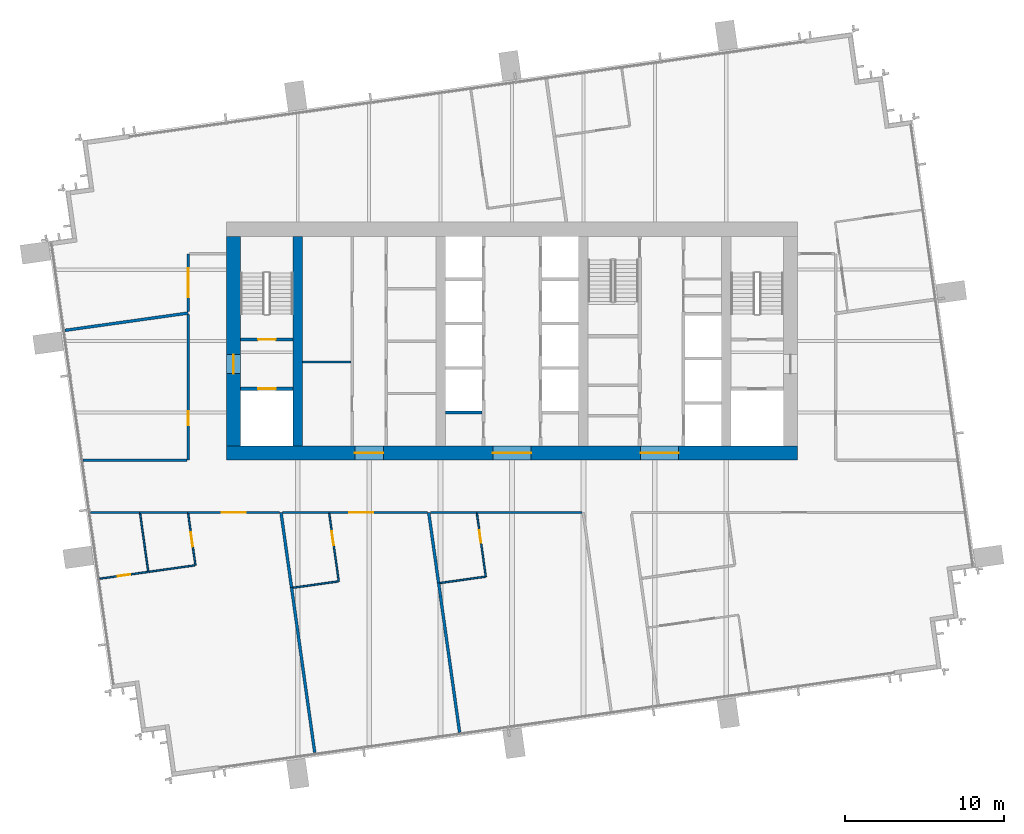
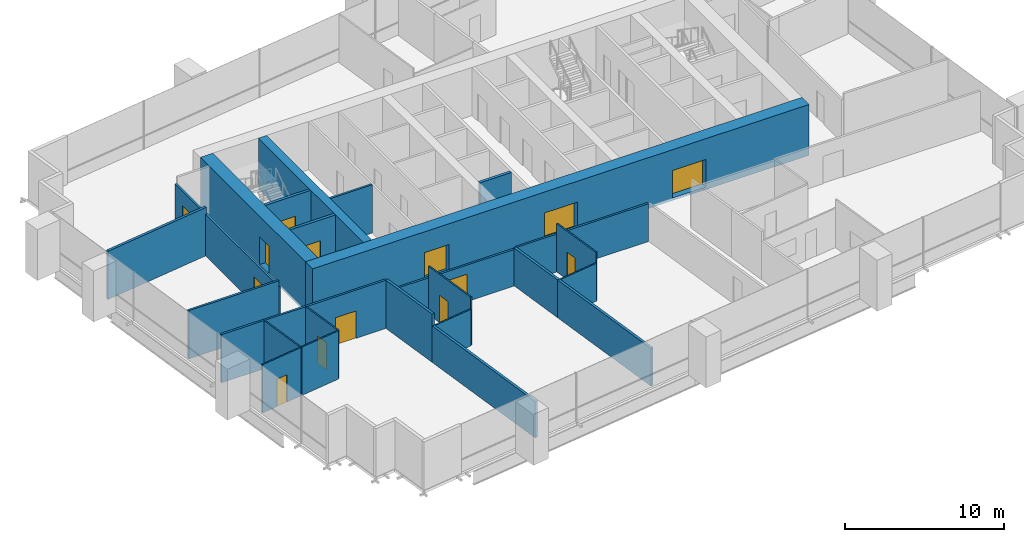
# One storey, part 9 of 14: 30 walls, 14 doors, 14 openings.
"""IFC4 building model written with IfcOpenShell, lengths in metres."""

from ifc_helpers import new_model, si_unit, direction, frame, frame_2d, origin, place, context, subcontext, project, spatial, rectangle, extrude, material, layer, layer_set, type_object, element, fill, save


model = new_model("IFC4")

# Units and contexts
model_context = context("Model", 3, precision=1e-05, world=origin(), true_north=direction((0.0, 1.0)))
body_context = subcontext(model_context, "Body", "Model", "MODEL_VIEW")
ifc_project = project(units=[si_unit("LENGTHUNIT", "METRE"), si_unit("AREAUNIT", "SQUARE_METRE"), si_unit("VOLUMEUNIT", "CUBIC_METRE"), si_unit("PLANEANGLEUNIT", "RADIAN"), si_unit("MASSUNIT", "GRAM", prefix="KILO")], contexts=[model_context])

# Site, building, storey
site_placement = place(None, origin())
site = spatial("IfcSite", under=ifc_project, at=site_placement, CompositionType="ELEMENT")
building_placement = place(site_placement, origin())
building = spatial("IfcBuilding", under=site, at=building_placement, Name="Rattan Terrace Tower", CompositionType="ELEMENT")
storey_placement = place(building_placement, frame((0.0, 0.0, 195.800048828125)))
storey = spatial("IfcBuildingStorey", under=building, at=storey_placement, Name="L45", CompositionType="ELEMENT", Elevation=195.800048828125)

# Wall
ifc_material_1 = material(Name="Gypsum board partition")
ifc_layer_1 = layer(ifc_material_1, 0.14990234375)
ifc_layer_set_1 = layer_set([ifc_layer_1], Name="Core partition 150")
wall_type_1 = type_object("IfcWallType", Name="Core partition 150", PredefinedType="PARTITIONING", material=ifc_layer_set_1)
wall_1_placement = place(storey_placement, frame((-13.199951171875, -1.320068359375, 0.0), z_axis=(0.0, 0.0, 1.0), x_axis=(1.0, 0.0, 0.0)))
element("IfcWall", 1, at=wall_1_placement, inside=storey, type_object=wall_type_1, Name="Core room wall", PredefinedType="PARTITIONING", context=body_context, shape_type="SweptSolid", body=[
    extrude(rectangle(XDim=3.050048828125, YDim=0.14990234375, at=frame_2d((1.52490234375, 0.0))), origin(), (0.0, 0.0, 1.0), 3.699951171875),
])

# Wall, opening, door
ifc_material_2 = material(Name="Gypsum board partition")
ifc_layer_2 = layer(ifc_material_2, 0.199951171875)
ifc_layer_set_2 = layer_set([ifc_layer_2], Name="Core partition 200")
wall_type_2 = type_object("IfcWallType", Name="Core partition 200", PredefinedType="PARTITIONING", material=ifc_layer_set_2)
wall_2_placement = place(storey_placement, frame((-17.10009765625, -3.0, 0.0), z_axis=(0.0, 0.0, 1.0), x_axis=(1.0, 0.0, 0.0)))
wall_2 = element("IfcWall", 2, at=wall_2_placement, inside=storey, type_object=wall_type_2, Name="Fire-fighting lobby wall", PredefinedType="PARTITIONING", context=body_context, shape_type="SweptSolid", body=[
    extrude(rectangle(XDim=3.300048828125, YDim=0.199951171875, at=frame_2d((1.64990234375, 0.0))), origin(), (0.0, 0.0, 1.0), 3.699951171875),
])
opening_1_placement = place(wall_2_placement, frame((1.10009765625, 0.0, 0.0)))
opening_1 = element("IfcOpeningElement", 3, at=opening_1_placement, cuts=wall_2, Name="Opening L45-LD-FF1", PredefinedType="OPENING", context=body_context, shape_type="SweptSolid", body=[
    extrude(rectangle(XDim=1.10009765625, YDim=2.10009765625, at=frame_2d((0.550048828125, 1.050048828125))), frame((0.0, 0.110595703125, 0.0), z_axis=(0.0, -1.0, 0.0), x_axis=(1.0, 0.0, 0.0)), (0.0, 0.0, 1.0), 0.220947265625),
])
ifc_material_3 = material(Name="Brushed stainless landing door panel")
door_type_1 = type_object("IfcDoorType", Name="Core lift landing door 1100", OperationType="DOUBLE_DOOR_SLIDING", PredefinedType="DOOR", material=ifc_material_3)
door_1_placement = place(opening_1_placement, origin())
door_1 = element("IfcDoor", 4, at=door_1_placement, inside=storey, type_object=door_type_1, Name="Door L45-LD-FF1", OperationType="DOUBLE_DOOR_SLIDING", OverallHeight=2.10009765625, OverallWidth=1.10009765625, PredefinedType="DOOR", context=body_context, shape_type="SweptSolid", body=[
    extrude(rectangle(XDim=1.10009765625, YDim=2.10009765625, at=frame_2d((0.550048828125, 1.050048828125))), frame((0.0, 0.02490234375, 0.0), z_axis=(0.0, -1.0, 0.0), x_axis=(1.0, 0.0, 0.0)), (0.0, 0.0, 1.0), 0.050048828125),
])
fill(opening_1, door_1)

wall_3_placement = place(storey_placement, frame((-17.10009765625, 0.10009765625, 0.0), z_axis=(0.0, 0.0, 1.0), x_axis=(1.0, 0.0, 0.0)))
wall_3 = element("IfcWall", 5, at=wall_3_placement, inside=storey, type_object=wall_type_2, Name="Stair enclosure wall", PredefinedType="PARTITIONING", context=body_context, shape_type="SweptSolid", body=[
    extrude(rectangle(XDim=3.300048828125, YDim=0.199951171875, at=frame_2d((1.64990234375, 0.0))), origin(), (0.0, 0.0, 1.0), 3.699951171875),
])
opening_2_placement = place(wall_3_placement, frame((1.10009765625, 0.0, 0.0)))
opening_2 = element("IfcOpeningElement", 6, at=opening_2_placement, cuts=wall_3, Name="Opening L45-D002", PredefinedType="OPENING", context=body_context, shape_type="SweptSolid", body=[
    extrude(rectangle(XDim=1.10009765625, YDim=2.10009765625, at=frame_2d((0.550048828125, 1.050048828125))), frame((0.0, 0.110595703125, 0.0), z_axis=(0.0, -1.0, 0.0), x_axis=(1.0, 0.0, 0.0)), (0.0, 0.0, 1.0), 0.220947265625),
])
ifc_material_4 = material(Name="Hollow-metal fire door leaf")
door_type_2 = type_object("IfcDoorType", Name="Core stair door 1100", OperationType="NOTDEFINED", PredefinedType="DOOR", material=ifc_material_4)
door_2_placement = place(opening_2_placement, origin())
door_2 = element("IfcDoor", 7, at=door_2_placement, inside=storey, type_object=door_type_2, Name="Door L45-D002", OperationType="SINGLE_SWING_RIGHT", OverallHeight=2.10009765625, OverallWidth=1.10009765625, PredefinedType="DOOR", context=body_context, shape_type="SweptSolid", body=[
    extrude(rectangle(XDim=1.10009765625, YDim=2.10009765625, at=frame_2d((0.550048828125, 1.050048828125))), frame((0.0, 0.02490234375, 0.0), z_axis=(0.0, -1.0, 0.0), x_axis=(1.0, 0.0, 0.0)), (0.0, 0.0, 1.0), 0.050048828125),
])
fill(opening_2, door_2)

# Wall, openings, doors
ifc_material_5 = material(Name="Concrete C60/75", Category="concrete")
ifc_layer_3 = layer(ifc_material_5, 0.89990234375)
ifc_layer_set_3 = layer_set([ifc_layer_3], Name="Core ring wall 900 C60/75")
wall_type_3 = type_object("IfcWallType", Name="Core ring wall 900 C60/75", PredefinedType="SHEAR", material=ifc_layer_set_3)
wall_4_placement = place(storey_placement, frame((-18.0, -7.050048828125, -0.199951171875), z_axis=(0.0, 0.0, 1.0), x_axis=(1.0, 0.0, 0.0)))
wall_4 = element("IfcWall", 8, at=wall_4_placement, inside=storey, type_object=wall_type_3, Name="Rear core wall south", PredefinedType="SHEAR", context=body_context, shape_type="SweptSolid", body=[
    extrude(rectangle(XDim=36.0, YDim=0.89990234375, at=frame_2d((18.0, 0.0))), origin(), (0.0, 0.0, 1.0), 3.89990234375),
])
opening_3_placement = place(wall_4_placement, frame((8.10009765625, 0.0, 0.199951171875)))
opening_3 = element("IfcOpeningElement", 9, at=opening_3_placement, cuts=wall_4, Name="Opening L45-D011", PredefinedType="OPENING", context=body_context, shape_type="SweptSolid", body=[
    extrude(rectangle(XDim=1.800048828125, YDim=2.10009765625, at=frame_2d((0.89990234375, 1.050048828125))), frame((0.0, 0.46044921875, 0.0), z_axis=(0.0, -1.0, 0.0), x_axis=(1.0, 0.0, 0.0)), (0.0, 0.0, 1.0), 0.9208984375),
])
opening_4_placement = place(wall_4_placement, frame((16.800048828125, 0.0, 0.199951171875)))
opening_4 = element("IfcOpeningElement", 10, at=opening_4_placement, cuts=wall_4, Name="Opening L45-D014", PredefinedType="OPENING", context=body_context, shape_type="SweptSolid", body=[
    extrude(rectangle(XDim=2.39990234375, YDim=2.10009765625, at=frame_2d((1.199951171875, 1.050048828125))), frame((0.0, 0.46044921875, 0.0), z_axis=(0.0, -1.0, 0.0), x_axis=(1.0, 0.0, 0.0)), (0.0, 0.0, 1.0), 0.9208984375),
])
opening_5_placement = place(wall_4_placement, frame((26.10009765625, 0.0, 0.199951171875)))
opening_5 = element("IfcOpeningElement", 11, at=opening_5_placement, cuts=wall_4, Name="Opening L45-D019", PredefinedType="OPENING", context=body_context, shape_type="SweptSolid", body=[
    extrude(rectangle(XDim=2.39990234375, YDim=2.10009765625, at=frame_2d((1.199951171875, 1.050048828125))), frame((0.0, 0.46044921875, 0.0), z_axis=(0.0, -1.0, 0.0), x_axis=(1.0, 0.0, 0.0)), (0.0, 0.0, 1.0), 0.9208984375),
])
ifc_material_6 = material(Name="Hollow-metal fire door leaf")
door_type_3 = type_object("IfcDoorType", Name="Core lift lobby door 2400", OperationType="NOTDEFINED", PredefinedType="DOOR", material=ifc_material_6)
door_3_placement = place(opening_4_placement, origin())
door_3 = element("IfcDoor", 12, at=door_3_placement, inside=storey, type_object=door_type_3, Name="Door L45-D014", OperationType="DOUBLE_DOOR_DOUBLE_SWING", OverallHeight=2.10009765625, OverallWidth=2.39990234375, PredefinedType="DOOR", context=body_context, shape_type="SweptSolid", body=[
    extrude(rectangle(XDim=2.39990234375, YDim=2.10009765625, at=frame_2d((1.199951171875, 1.050048828125))), frame((0.0, 0.02490234375, 0.0), z_axis=(0.0, -1.0, 0.0), x_axis=(1.0, 0.0, 0.0)), (0.0, 0.0, 1.0), 0.050048828125),
])
fill(opening_4, door_3)
door_4_placement = place(opening_5_placement, origin())
door_4 = element("IfcDoor", 13, at=door_4_placement, inside=storey, type_object=door_type_3, Name="Door L45-D019", OperationType="DOUBLE_DOOR_DOUBLE_SWING", OverallHeight=2.10009765625, OverallWidth=2.39990234375, PredefinedType="DOOR", context=body_context, shape_type="SweptSolid", body=[
    extrude(rectangle(XDim=2.39990234375, YDim=2.10009765625, at=frame_2d((1.199951171875, 1.050048828125))), frame((0.0, 0.02490234375, 0.0), z_axis=(0.0, -1.0, 0.0), x_axis=(1.0, 0.0, 0.0)), (0.0, 0.0, 1.0), 0.050048828125),
])
fill(opening_5, door_4)
ifc_material_7 = material(Name="Hollow-metal fire door leaf")
door_type_4 = type_object("IfcDoorType", Name="Core service room door 1800", OperationType="NOTDEFINED", PredefinedType="DOOR", material=ifc_material_7)
door_5_placement = place(opening_3_placement, origin())
door_5 = element("IfcDoor", 14, at=door_5_placement, inside=storey, type_object=door_type_4, Name="Door L45-D011", OperationType="SINGLE_SWING_LEFT", OverallHeight=2.10009765625, OverallWidth=1.800048828125, PredefinedType="DOOR", context=body_context, shape_type="SweptSolid", body=[
    extrude(rectangle(XDim=1.800048828125, YDim=2.10009765625, at=frame_2d((0.89990234375, 1.050048828125))), frame((0.0, 0.02490234375, 0.0), z_axis=(0.0, -1.0, 0.0), x_axis=(1.0, 0.0, 0.0)), (0.0, 0.0, 1.0), 0.050048828125),
])
fill(opening_3, door_5)

# Wall, opening, door
wall_5_placement = place(storey_placement, frame((-17.550048828125, -6.60009765625, -0.199951171875), z_axis=(0.0, 0.0, 1.0), x_axis=(0.0, 1.0, 0.0)))
wall_5 = element("IfcWall", 15, at=wall_5_placement, inside=storey, type_object=wall_type_3, Name="Rear core wall west", PredefinedType="SHEAR", context=body_context, shape_type="SweptSolid", body=[
    extrude(rectangle(XDim=13.2001953125, YDim=0.89990234375, at=frame_2d((6.60009765625, 0.0))), origin(), (0.0, 0.0, 1.0), 3.89990234375),
])
opening_6_placement = place(wall_5_placement, frame((4.550048828125, 0.0, 0.199951171875)))
opening_6 = element("IfcOpeningElement", 16, at=opening_6_placement, cuts=wall_5, Name="Opening L45-D001", PredefinedType="OPENING", context=body_context, shape_type="SweptSolid", body=[
    extrude(rectangle(XDim=1.199951171875, YDim=2.10009765625, at=frame_2d((0.60009765625, 1.050048828125))), frame((0.0, 0.46044921875, 0.0), z_axis=(0.0, -1.0, 0.0), x_axis=(1.0, 0.0, 0.0)), (0.0, 0.0, 1.0), 0.9208984375),
])
ifc_material_8 = material(Name="Hollow-metal fire door leaf")
door_type_5 = type_object("IfcDoorType", Name="Core fire-fighting lobby door 1200", OperationType="NOTDEFINED", PredefinedType="DOOR", material=ifc_material_8)
door_6_placement = place(opening_6_placement, origin())
door_6 = element("IfcDoor", 17, at=door_6_placement, inside=storey, type_object=door_type_5, Name="Door L45-D001", OperationType="SINGLE_SWING_LEFT", OverallHeight=2.10009765625, OverallWidth=1.199951171875, PredefinedType="DOOR", context=body_context, shape_type="SweptSolid", body=[
    extrude(rectangle(XDim=1.199951171875, YDim=2.10009765625, at=frame_2d((0.60009765625, 1.050048828125))), frame((0.0, 0.02490234375, 0.0), z_axis=(0.0, -1.0, 0.0), x_axis=(1.0, 0.0, 0.0)), (0.0, 0.0, 1.0), 0.050048828125),
])
fill(opening_6, door_6)

# Walls
ifc_material_9 = material(Name="Concrete C60/75", Category="concrete")
ifc_layer_4 = layer(ifc_material_9, 0.60009765625)
ifc_layer_set_4 = layer_set([ifc_layer_4], Name="Core spine wall 600 C60/75")
wall_type_4 = type_object("IfcWallType", Name="Core spine wall 600 C60/75", PredefinedType="SHEAR", material=ifc_layer_set_4)
wall_6_placement = place(storey_placement, frame((-13.5, -6.60009765625, -0.199951171875), z_axis=(0.0, 0.0, 1.0), x_axis=(0.0, 1.0, 0.0)))
element("IfcWall", 18, at=wall_6_placement, inside=storey, type_object=wall_type_4, Name="Core spine wall 1", PredefinedType="SHEAR", context=body_context, shape_type="SweptSolid", body=[
    extrude(rectangle(XDim=13.2001953125, YDim=0.60009765625, at=frame_2d((6.60009765625, 0.0))), origin(), (0.0, 0.0, 1.0), 3.89990234375),
])
ifc_material_10 = material(Name="Double steel stud acoustic partition, gypsum board, mineral wool, fire rated", Category="steel")
ifc_layer_5 = layer(ifc_material_10, 0.179931640625)
ifc_layer_set_5 = layer_set([ifc_layer_5], Name="Floors Acoustic Party Wall 180")
wall_type_5 = type_object("IfcWallType", Name="Floors Acoustic Party Wall 180", PredefinedType="PARTITIONING", material=ifc_layer_set_5)
wall_7_placement = place(storey_placement, frame((-13.887939453125, -15.532958984375, 0.0), z_axis=(0.0, 0.0, 1.0), x_axis=(0.139107013986, -0.990277354411, 0.0)))
element("IfcWall", 19, at=wall_7_placement, inside=storey, type_object=wall_type_5, Name="pt-L45-025", PredefinedType="PARTITIONING", context=body_context, shape_type="SweptSolid", body=[
    extrude(rectangle(XDim=10.502197265625, YDim=0.179931640625, at=frame_2d((5.2509765625, 0.0))), origin(), (0.0, 0.0, 1.0), 2.800048828125),
])
wall_8_placement = place(storey_placement, frame((-14.552978515625, -10.800048828125, 0.0), z_axis=(0.0, 0.0, 1.0), x_axis=(0.139146821365, -0.990271761742, 0.0)))
element("IfcWall", 20, at=wall_8_placement, inside=storey, type_object=wall_type_5, Name="pt-L45-026", PredefinedType="PARTITIONING", context=body_context, shape_type="SweptSolid", body=[
    extrude(rectangle(XDim=4.779296875, YDim=0.179931640625, at=frame_2d((2.3896484375, 0.0))), origin(), (0.0, 0.0, 1.0), 3.699951171875),
])
wall_9_placement = place(storey_placement, frame((-4.6240234375, -15.237060546875, 0.0), z_axis=(0.0, 0.0, 1.0), x_axis=(0.13917022879, -0.990268472395, 0.0)))
element("IfcWall", 21, at=wall_9_placement, inside=storey, type_object=wall_type_5, Name="pt-L45-030", PredefinedType="PARTITIONING", context=body_context, shape_type="SweptSolid", body=[
    extrude(rectangle(XDim=9.50634765625, YDim=0.179931640625, at=frame_2d((4.753173828125, 0.0))), origin(), (0.0, 0.0, 1.0), 2.89990234375),
])
wall_10_placement = place(storey_placement, frame((-5.248046875, -10.800048828125, 0.0), z_axis=(0.0, 0.0, 1.0), x_axis=(0.139299923233, -0.990250236752, 0.0)))
element("IfcWall", 22, at=wall_10_placement, inside=storey, type_object=wall_type_5, Name="pt-L45-031", PredefinedType="PARTITIONING", context=body_context, shape_type="SweptSolid", body=[
    extrude(rectangle(XDim=4.479736328125, YDim=0.179931640625, at=frame_2d((2.23974609375, 0.0))), origin(), (0.0, 0.0, 1.0), 2.89990234375),
])
wall_11_placement = place(storey_placement, frame((-28.166015625, 0.676025390625, 0.0), z_axis=(0.0, 0.0, 1.0), x_axis=(0.990274949164, 0.139124135423, 0.0)))
element("IfcWall", 23, at=wall_11_placement, inside=storey, type_object=wall_type_5, Name="pt-L45-038", PredefinedType="PARTITIONING", context=body_context, shape_type="SweptSolid", body=[
    extrude(rectangle(XDim=7.84228515625, YDim=0.179931640625, at=frame_2d((3.921142578125, 0.0))), origin(), (0.0, 0.0, 1.0), 3.699951171875),
])

# Wall, opening, door
ifc_material_11 = material(Name="Gypsum board partition on steel studs", Category="steel")
ifc_layer_6 = layer(ifc_material_11, 0.10009765625)
ifc_layer_set_6 = layer_set([ifc_layer_6], Name="Floors Partition 100")
wall_type_6 = type_object("IfcWallType", Name="Floors Partition 100", PredefinedType="PARTITIONING", material=ifc_layer_set_6)
wall_12_placement = place(storey_placement, frame((-25.966064453125, -14.969970703125, 0.0), z_axis=(0.0, 0.0, 1.0), x_axis=(0.990303801212, 0.138918613964, 0.0)))
wall_12 = element("IfcWall", 24, at=wall_12_placement, inside=storey, type_object=wall_type_6, Name="pt-L45-022", PredefinedType="PARTITIONING", context=body_context, shape_type="SweptSolid", body=[
    extrude(rectangle(XDim=3.059814453125, YDim=0.10009765625, at=frame_2d((1.52978515625, 0.0))), origin(), (0.0, 0.0, 1.0), 3.699951171875),
])
opening_7_placement = place(wall_12_placement, frame((1.1298828125, 0.0, 0.0)))
opening_7 = element("IfcOpeningElement", 25, at=opening_7_placement, cuts=wall_12, Name="Opening L45-D101", PredefinedType="OPENING", context=body_context, shape_type="SweptSolid", body=[
    extrude(rectangle(XDim=0.800048828125, YDim=2.10009765625, at=frame_2d((0.39990234375, 1.050048828125))), frame((0.0, 0.060546875, 0.0), z_axis=(0.0, -1.0, 0.0), x_axis=(1.0, 0.0, 0.0)), (0.0, 0.0, 1.0), 0.12109375),
])
ifc_material_12 = material(Name="Solid core timber door, painted", Category="wood")
door_type_6 = type_object("IfcDoorType", Name="Floors Store Door 800x2100", OperationType="NOTDEFINED", PredefinedType="DOOR", material=ifc_material_12)
door_7_placement = place(opening_7_placement, origin())
door_7 = element("IfcDoor", 26, at=door_7_placement, inside=storey, type_object=door_type_6, Name="d-L45-101", OperationType="SINGLE_SWING_RIGHT", OverallHeight=2.10009765625, OverallWidth=0.800048828125, PredefinedType="DOOR", context=body_context, shape_type="SweptSolid", body=[
    extrude(rectangle(XDim=0.800048828125, YDim=2.10009765625, at=frame_2d((0.39990234375, 1.050048828125))), frame((0.0, 0.02490234375, 0.0), z_axis=(0.0, -1.0, 0.0), x_axis=(1.0, 0.0, 0.0)), (0.0, 0.0, 1.0), 0.050048828125),
])
fill(opening_7, door_7)

# Wall
wall_13_placement = place(storey_placement, frame((-22.865966796875, -14.534912109375, 0.0), z_axis=(0.0, 0.0, 1.0), x_axis=(0.9902520421, 0.139287088837, 0.0)))
element("IfcWall", 27, at=wall_13_placement, inside=storey, type_object=wall_type_6, Name="pt-L45-023", PredefinedType="PARTITIONING", context=body_context, shape_type="SweptSolid", body=[
    extrude(rectangle(XDim=2.899169921875, YDim=0.10009765625, at=frame_2d((1.44970703125, 0.0))), origin(), (0.0, 0.0, 1.0), 3.699951171875),
])

# Wall, opening, door
wall_14_placement = place(storey_placement, frame((-19.945068359375, -14.1240234375, 0.0), z_axis=(0.0, 0.0, 1.0), x_axis=(-0.139290097993, 0.990251618833, 0.0)))
wall_14 = element("IfcWall", 28, at=wall_14_placement, inside=storey, type_object=wall_type_6, Name="pt-L45-024", PredefinedType="PARTITIONING", context=body_context, shape_type="SweptSolid", body=[
    extrude(rectangle(XDim=3.2880859375, YDim=0.10009765625, at=frame_2d((1.64404296875, 0.0))), origin(), (0.0, 0.0, 1.0), 3.699951171875),
])
opening_8_placement = place(wall_14_placement, frame((1.194091796875, 0.0, 0.0)))
opening_8 = element("IfcOpeningElement", 29, at=opening_8_placement, cuts=wall_14, Name="Opening L45-D102", PredefinedType="OPENING", context=body_context, shape_type="SweptSolid", body=[
    extrude(rectangle(XDim=0.89990234375, YDim=2.10009765625, at=frame_2d((0.449951171875, 1.050048828125))), frame((0.0, 0.060546875, 0.0), z_axis=(0.0, -1.0, 0.0), x_axis=(1.0, 0.0, 0.0)), (0.0, 0.0, 1.0), 0.12109375),
])
ifc_material_13 = material(Name="Solid core timber door, painted", Category="wood")
door_type_7 = type_object("IfcDoorType", Name="Floors Door 900x2100", OperationType="NOTDEFINED", PredefinedType="DOOR", material=ifc_material_13)
door_8_placement = place(opening_8_placement, origin())
door_8 = element("IfcDoor", 30, at=door_8_placement, inside=storey, type_object=door_type_7, Name="d-L45-102", OperationType="SINGLE_SWING_LEFT", OverallHeight=2.10009765625, OverallWidth=0.89990234375, PredefinedType="DOOR", context=body_context, shape_type="SweptSolid", body=[
    extrude(rectangle(XDim=0.89990234375, YDim=2.10009765625, at=frame_2d((0.449951171875, 1.050048828125))), frame((0.0, 0.02490234375, 0.0), z_axis=(0.0, -1.0, 0.0), x_axis=(1.0, 0.0, 0.0)), (0.0, 0.0, 1.0), 0.050048828125),
])
fill(opening_8, door_8)

# Walls
wall_15_placement = place(storey_placement, frame((-23.431884765625, -10.867919921875, 0.0), z_axis=(0.0, 0.0, 1.0), x_axis=(0.139044103827, -0.990286189539, 0.0)))
element("IfcWall", 31, at=wall_15_placement, inside=storey, type_object=wall_type_6, Name="pt-L45-027", PredefinedType="PARTITIONING", context=body_context, shape_type="SweptSolid", body=[
    extrude(rectangle(XDim=3.710205078125, YDim=0.10009765625, at=frame_2d((1.85498046875, 0.0))), origin(), (0.0, 0.0, 1.0), 3.699951171875),
])
wall_16_placement = place(storey_placement, frame((-13.7958984375, -15.541015625, 0.0), z_axis=(0.0, 0.0, 1.0), x_axis=(0.990263018372, 0.139209031475, 0.0)))
element("IfcWall", 32, at=wall_16_placement, inside=storey, type_object=wall_type_6, Name="pt-L45-028", PredefinedType="PARTITIONING", context=body_context, shape_type="SweptSolid", body=[
    extrude(rectangle(XDim=2.858642578125, YDim=0.10009765625, at=frame_2d((1.42919921875, 0.0))), origin(), (0.0, 0.0, 1.0), 2.800048828125),
])

# Wall, opening, door
wall_17_placement = place(storey_placement, frame((-10.9150390625, -15.135986328125, 0.0), z_axis=(0.0, 0.0, 1.0), x_axis=(-0.138954517122, 0.990298764097, 0.0)))
wall_17 = element("IfcWall", 33, at=wall_17_placement, inside=storey, type_object=wall_type_6, Name="pt-L45-029", PredefinedType="PARTITIONING", context=body_context, shape_type="SweptSolid", body=[
    extrude(rectangle(XDim=4.309814453125, YDim=0.10009765625, at=frame_2d((2.15478515625, 0.0))), origin(), (0.0, 0.0, 1.0), 3.699951171875),
])
opening_9_placement = place(wall_17_placement, frame((2.287109375, 0.0, 0.0)))
opening_9 = element("IfcOpeningElement", 34, at=opening_9_placement, cuts=wall_17, Name="Opening L45-D104", PredefinedType="OPENING", context=body_context, shape_type="SweptSolid", body=[
    extrude(rectangle(XDim=0.89990234375, YDim=2.10009765625, at=frame_2d((0.449951171875, 1.050048828125))), frame((0.0, 0.060546875, 0.0), z_axis=(0.0, -1.0, 0.0), x_axis=(1.0, 0.0, 0.0)), (0.0, 0.0, 1.0), 0.12109375),
])
door_9_placement = place(opening_9_placement, origin())
door_9 = element("IfcDoor", 35, at=door_9_placement, inside=storey, type_object=door_type_7, Name="d-L45-104", OperationType="SINGLE_SWING_RIGHT", OverallHeight=2.10009765625, OverallWidth=0.89990234375, PredefinedType="DOOR", context=body_context, shape_type="SweptSolid", body=[
    extrude(rectangle(XDim=0.89990234375, YDim=2.10009765625, at=frame_2d((0.449951171875, 1.050048828125))), frame((0.0, 0.02490234375, 0.0), z_axis=(0.0, -1.0, 0.0), x_axis=(1.0, 0.0, 0.0)), (0.0, 0.0, 1.0), 0.050048828125),
])
fill(opening_9, door_9)

# Wall
wall_18_placement = place(storey_placement, frame((-4.531982421875, -15.243896484375, 0.0), z_axis=(0.0, 0.0, 1.0), x_axis=(0.990264673226, 0.139197259172, 0.0)))
element("IfcWall", 36, at=wall_18_placement, inside=storey, type_object=wall_type_6, Name="pt-L45-032", PredefinedType="PARTITIONING", context=body_context, shape_type="SweptSolid", body=[
    extrude(rectangle(XDim=2.85888671875, YDim=0.10009765625, at=frame_2d((1.429443359375, 0.0))), origin(), (0.0, 0.0, 1.0), 2.89990234375),
])

# Wall, opening, door
wall_19_placement = place(storey_placement, frame((-1.65087890625, -14.839111328125, 0.0), z_axis=(0.0, 0.0, 1.0), x_axis=(-0.139170879072, 0.990268381005, 0.0)))
wall_19 = element("IfcWall", 37, at=wall_19_placement, inside=storey, type_object=wall_type_6, Name="pt-L45-033", PredefinedType="PARTITIONING", context=body_context, shape_type="SweptSolid", body=[
    extrude(rectangle(XDim=4.01025390625, YDim=0.10009765625, at=frame_2d((2.005126953125, 0.0))), origin(), (0.0, 0.0, 1.0), 3.699951171875),
])
opening_10_placement = place(wall_19_placement, frame((2.14697265625, 0.0, 0.0)))
opening_10 = element("IfcOpeningElement", 38, at=opening_10_placement, cuts=wall_19, Name="Opening L45-D106", PredefinedType="OPENING", context=body_context, shape_type="SweptSolid", body=[
    extrude(rectangle(XDim=0.800048828125, YDim=2.10009765625, at=frame_2d((0.39990234375, 1.050048828125))), frame((0.0, 0.060546875, 0.0), z_axis=(0.0, -1.0, 0.0), x_axis=(1.0, 0.0, 0.0)), (0.0, 0.0, 1.0), 0.12109375),
])
door_10_placement = place(opening_10_placement, origin())
door_10 = element("IfcDoor", 39, at=door_10_placement, inside=storey, type_object=door_type_6, Name="d-L45-106", OperationType="SINGLE_SWING_RIGHT", OverallHeight=2.10009765625, OverallWidth=0.800048828125, PredefinedType="DOOR", context=body_context, shape_type="SweptSolid", body=[
    extrude(rectangle(XDim=0.800048828125, YDim=2.10009765625, at=frame_2d((0.39990234375, 1.050048828125))), frame((0.0, 0.02490234375, 0.0), z_axis=(0.0, -1.0, 0.0), x_axis=(1.0, 0.0, 0.0)), (0.0, 0.0, 1.0), 0.050048828125),
])
fill(opening_10, door_10)

ifc_material_14 = material(Name="Gypsum board partition on steel studs, fire rated", Category="steel")
ifc_layer_7 = layer(ifc_material_14, 0.14990234375)
ifc_layer_set_7 = layer_set([ifc_layer_7], Name="Floors Tenancy Wall 150")
wall_type_7 = type_object("IfcWallType", Name="Floors Tenancy Wall 150", PredefinedType="PARTITIONING", material=ifc_layer_set_7)
wall_20_placement = place(storey_placement, frame((-14.64208984375, -10.800048828125, 0.0), z_axis=(0.0, 0.0, 1.0), x_axis=(-1.0, 0.0, 0.0)))
wall_20 = element("IfcWall", 40, at=wall_20_placement, inside=storey, type_object=wall_type_7, Name="pt-L45-001", PredefinedType="PARTITIONING", context=body_context, shape_type="SweptSolid", body=[
    extrude(rectangle(XDim=5.791015625, YDim=0.14990234375, at=frame_2d((2.8955078125, 0.0))), origin(), (0.0, 0.0, 1.0), 3.699951171875),
])
opening_11_placement = place(wall_20_placement, frame((2.14501953125, 0.0, 0.0)))
opening_11 = element("IfcOpeningElement", 41, at=opening_11_placement, cuts=wall_20, Name="Opening L45-D100", PredefinedType="OPENING", context=body_context, shape_type="SweptSolid", body=[
    extrude(rectangle(XDim=1.5, YDim=2.10009765625, at=frame_2d((0.75, 1.050048828125))), frame((0.0, 0.08544921875, 0.0), z_axis=(0.0, -1.0, 0.0), x_axis=(1.0, 0.0, 0.0)), (0.0, 0.0, 1.0), 0.1708984375),
])
ifc_material_15 = material(Name="Steel fire door set", Category="steel")
door_type_8 = type_object("IfcDoorType", Name="Floors Unit Door Pair FD30S 1500x2100", OperationType="NOTDEFINED", PredefinedType="DOOR", material=ifc_material_15)
door_11_placement = place(opening_11_placement, origin())
door_11 = element("IfcDoor", 42, at=door_11_placement, inside=storey, type_object=door_type_8, Name="d-L45-100", OperationType="DOUBLE_DOOR_SINGLE_SWING", OverallHeight=2.10009765625, OverallWidth=1.5, PredefinedType="DOOR", context=body_context, shape_type="SweptSolid", body=[
    extrude(rectangle(XDim=1.5, YDim=2.10009765625, at=frame_2d((0.75, 1.050048828125))), frame((0.0, 0.02490234375, 0.0), z_axis=(0.0, -1.0, 0.0), x_axis=(1.0, 0.0, 0.0)), (0.0, 0.0, 1.0), 0.050048828125),
])
fill(opening_11, door_11)

# Walls
wall_21_placement = place(storey_placement, frame((-23.4619140625, -10.800048828125, 0.0), z_axis=(0.0, 0.0, 1.0), x_axis=(-1.0, 0.0, 0.0)))
element("IfcWall", 43, at=wall_21_placement, inside=storey, type_object=wall_type_7, Name="pt-L45-002", PredefinedType="PARTITIONING", context=body_context, shape_type="SweptSolid", body=[
    extrude(rectangle(XDim=3.090087890625, YDim=0.14990234375, at=frame_2d((1.544921875, 0.0))), origin(), (0.0, 0.0, 1.0), 3.699951171875),
])
wall_22_placement = place(storey_placement, frame((-20.43310546875, -10.800048828125, 0.0), z_axis=(0.0, 0.0, 1.0), x_axis=(-1.0, 0.0, 0.0)))
element("IfcWall", 44, at=wall_22_placement, inside=storey, type_object=wall_type_7, Name="pt-L45-003", PredefinedType="PARTITIONING", context=body_context, shape_type="SweptSolid", body=[
    extrude(rectangle(XDim=3.02880859375, YDim=0.14990234375, at=frame_2d((1.514404296875, 0.0))), origin(), (0.0, 0.0, 1.0), 3.699951171875),
])

# Wall, opening, door
wall_23_placement = place(storey_placement, frame((-5.3369140625, -10.800048828125, 0.0), z_axis=(0.0, 0.0, 1.0), x_axis=(-1.0, 0.0, 0.0)))
wall_23 = element("IfcWall", 45, at=wall_23_placement, inside=storey, type_object=wall_type_7, Name="pt-L45-004", PredefinedType="PARTITIONING", context=body_context, shape_type="SweptSolid", body=[
    extrude(rectangle(XDim=6.20703125, YDim=0.14990234375, at=frame_2d((3.103515625, 0.0))), origin(), (0.0, 0.0, 1.0), 2.800048828125),
])
opening_12_placement = place(wall_23_placement, frame((3.405029296875, 0.0, 0.0)))
opening_12 = element("IfcOpeningElement", 46, at=opening_12_placement, cuts=wall_23, Name="Opening L45-D103", PredefinedType="OPENING", context=body_context, shape_type="SweptSolid", body=[
    extrude(rectangle(XDim=1.5, YDim=2.10009765625, at=frame_2d((0.75, 1.050048828125))), frame((0.0, 0.08544921875, 0.0), z_axis=(0.0, -1.0, 0.0), x_axis=(1.0, 0.0, 0.0)), (0.0, 0.0, 1.0), 0.1708984375),
])
door_12_placement = place(opening_12_placement, origin())
door_12 = element("IfcDoor", 47, at=door_12_placement, inside=storey, type_object=door_type_8, Name="d-L45-103", OperationType="DOUBLE_DOOR_SINGLE_SWING", OverallHeight=2.10009765625, OverallWidth=1.5, PredefinedType="DOOR", context=body_context, shape_type="SweptSolid", body=[
    extrude(rectangle(XDim=1.5, YDim=2.10009765625, at=frame_2d((0.75, 1.050048828125))), frame((0.0, 0.02490234375, 0.0), z_axis=(0.0, -1.0, 0.0), x_axis=(1.0, 0.0, 0.0)), (0.0, 0.0, 1.0), 0.050048828125),
])
fill(opening_12, door_12)

# Walls
wall_24_placement = place(storey_placement, frame((-11.5439453125, -10.800048828125, 0.0), z_axis=(0.0, 0.0, 1.0), x_axis=(-1.0, 0.0, 0.0)))
element("IfcWall", 48, at=wall_24_placement, inside=storey, type_object=wall_type_7, Name="pt-L45-005", PredefinedType="PARTITIONING", context=body_context, shape_type="SweptSolid", body=[
    extrude(rectangle(XDim=2.907958984375, YDim=0.14990234375, at=frame_2d((1.4541015625, 0.0))), origin(), (0.0, 0.0, 1.0), 2.800048828125),
])
wall_25_placement = place(storey_placement, frame((4.410888671875, -10.800048828125, 0.0), z_axis=(0.0, 0.0, 1.0), x_axis=(-1.0, 0.0, 0.0)))
element("IfcWall", 49, at=wall_25_placement, inside=storey, type_object=wall_type_7, Name="pt-L45-006", PredefinedType="PARTITIONING", context=body_context, shape_type="SweptSolid", body=[
    extrude(rectangle(XDim=6.64990234375, YDim=0.14990234375, at=frame_2d((3.324951171875, 0.0))), origin(), (0.0, 0.0, 1.0), 2.89990234375),
])
wall_26_placement = place(storey_placement, frame((-2.239013671875, -10.800048828125, 0.0), z_axis=(0.0, 0.0, 1.0), x_axis=(-1.0, 0.0, 0.0)))
element("IfcWall", 50, at=wall_26_placement, inside=storey, type_object=wall_type_7, Name="pt-L45-008", PredefinedType="PARTITIONING", context=body_context, shape_type="SweptSolid", body=[
    extrude(rectangle(XDim=2.907958984375, YDim=0.14990234375, at=frame_2d((1.4541015625, 0.0))), origin(), (0.0, 0.0, 1.0), 2.89990234375),
])
wall_27_placement = place(storey_placement, frame((-27.014892578125, -7.5, 0.0), z_axis=(0.0, 0.0, 1.0), x_axis=(1.0, 0.0, 0.0)))
element("IfcWall", 51, at=wall_27_placement, inside=storey, type_object=wall_type_7, Name="pt-L45-014", PredefinedType="PARTITIONING", context=body_context, shape_type="SweptSolid", body=[
    extrude(rectangle(XDim=6.539794921875, YDim=0.14990234375, at=frame_2d((3.27001953125, 0.0))), origin(), (0.0, 0.0, 1.0), 3.699951171875),
])

# Wall, opening, door
wall_28_placement = place(storey_placement, frame((-20.39990234375, -7.5, 0.0), z_axis=(0.0, 0.0, 1.0), x_axis=(0.0, 1.0, 0.0)))
wall_28 = element("IfcWall", 52, at=wall_28_placement, inside=storey, type_object=wall_type_7, Name="pt-L45-015", PredefinedType="PARTITIONING", context=body_context, shape_type="SweptSolid", body=[
    extrude(rectangle(XDim=9.166015625, YDim=0.14990234375, at=frame_2d((4.5830078125, 0.0))), origin(), (0.0, 0.0, 1.0), 3.199951171875),
])
opening_13_placement = place(wall_28_placement, frame((2.19091796875, 0.0, 0.0)))
opening_13 = element("IfcOpeningElement", 53, at=opening_13_placement, cuts=wall_28, Name="Opening L45-D110", PredefinedType="OPENING", context=body_context, shape_type="SweptSolid", body=[
    extrude(rectangle(XDim=0.89990234375, YDim=2.10009765625, at=frame_2d((0.449951171875, 1.050048828125))), frame((0.0, 0.08544921875, 0.0), z_axis=(0.0, -1.0, 0.0), x_axis=(1.0, 0.0, 0.0)), (0.0, 0.0, 1.0), 0.1708984375),
])
ifc_material_16 = material(Name="Steel fire door set", Category="steel")
door_type_9 = type_object("IfcDoorType", Name="Floors Fire Door FD30S 900x2100", OperationType="NOTDEFINED", PredefinedType="DOOR", material=ifc_material_16)
door_13_placement = place(opening_13_placement, origin())
door_13 = element("IfcDoor", 54, at=door_13_placement, inside=storey, type_object=door_type_9, Name="d-L45-110", OperationType="SINGLE_SWING_LEFT", OverallHeight=2.10009765625, OverallWidth=0.89990234375, PredefinedType="DOOR", context=body_context, shape_type="SweptSolid", body=[
    extrude(rectangle(XDim=0.89990234375, YDim=2.10009765625, at=frame_2d((0.449951171875, 1.050048828125))), frame((0.0, 0.02490234375, 0.0), z_axis=(0.0, -1.0, 0.0), x_axis=(1.0, 0.0, 0.0)), (0.0, 0.0, 1.0), 0.050048828125),
])
fill(opening_13, door_13)

wall_29_placement = place(storey_placement, frame((-20.39990234375, 1.85595703125, 0.0), z_axis=(0.0, 0.0, 1.0), x_axis=(0.0, 1.0, 0.0)))
wall_29 = element("IfcWall", 55, at=wall_29_placement, inside=storey, type_object=wall_type_7, Name="pt-L45-016", PredefinedType="PARTITIONING", context=body_context, shape_type="SweptSolid", body=[
    extrude(rectangle(XDim=3.64404296875, YDim=0.14990234375, at=frame_2d((1.822021484375, 0.0))), origin(), (0.0, 0.0, 1.0), 3.199951171875),
])
opening_14_placement = place(wall_29_placement, frame((0.922119140625, 0.0, 0.0)))
opening_14 = element("IfcOpeningElement", 56, at=opening_14_placement, cuts=wall_29, Name="Opening L45-D111", PredefinedType="OPENING", context=body_context, shape_type="SweptSolid", body=[
    extrude(rectangle(XDim=1.800048828125, YDim=2.10009765625, at=frame_2d((0.89990234375, 1.050048828125))), frame((0.0, 0.08544921875, 0.0), z_axis=(0.0, -1.0, 0.0), x_axis=(1.0, 0.0, 0.0)), (0.0, 0.0, 1.0), 0.1708984375),
])
ifc_material_17 = material(Name="Steel fire door set", Category="steel")
door_type_10 = type_object("IfcDoorType", Name="Floors Fire Door Pair FD30S 1800x2100", OperationType="NOTDEFINED", PredefinedType="DOOR", material=ifc_material_17)
door_14_placement = place(opening_14_placement, origin())
door_14 = element("IfcDoor", 57, at=door_14_placement, inside=storey, type_object=door_type_10, Name="d-L45-111", OperationType="DOUBLE_DOOR_SINGLE_SWING", OverallHeight=2.10009765625, OverallWidth=1.800048828125, PredefinedType="DOOR", context=body_context, shape_type="SweptSolid", body=[
    extrude(rectangle(XDim=1.800048828125, YDim=2.10009765625, at=frame_2d((0.89990234375, 1.050048828125))), frame((0.0, 0.02490234375, 0.0), z_axis=(0.0, -1.0, 0.0), x_axis=(1.0, 0.0, 0.0)), (0.0, 0.0, 1.0), 0.050048828125),
])
fill(opening_14, door_14)

# Wall
ifc_material_18 = material(Name="Gypsum shaft wall system")
ifc_layer_8 = layer(ifc_material_18, 0.199951171875)
ifc_layer_set_8 = layer_set([ifc_layer_8], Name="Lift shaft wall 200")
wall_type_8 = type_object("IfcWallType", Name="Lift shaft wall 200", PredefinedType="PARTITIONING", material=ifc_layer_set_8)
wall_30_placement = place(storey_placement, frame((-4.199951171875, -4.5, 0.0), z_axis=(0.0, 0.0, 1.0), x_axis=(1.0, 0.0, 0.0)))
element("IfcWall", 58, at=wall_30_placement, inside=storey, type_object=wall_type_8, Name="Lift shaft wall", PredefinedType="PARTITIONING", context=body_context, shape_type="SweptSolid", body=[
    extrude(rectangle(XDim=2.300048828125, YDim=0.199951171875, at=frame_2d((1.14990234375, 0.0))), origin(), (0.0, 0.0, 1.0), 3.699951171875),
])

save(model, "model.ifc")
